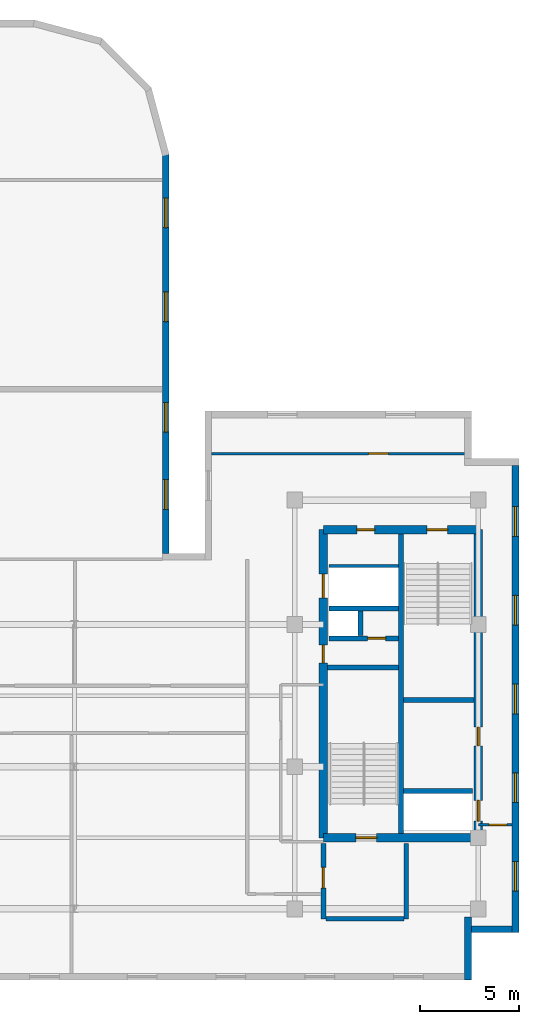
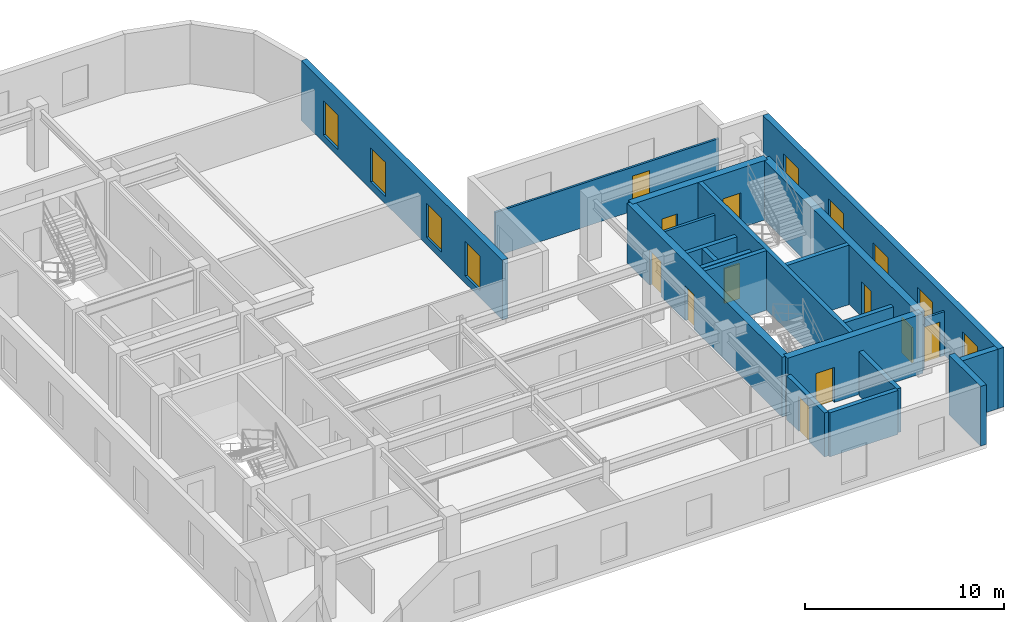
# One storey, part 5 of 9: 21 walls, 11 doors, 9 windows, 20 openings.
"""IFC4 building model written with IfcOpenShell, lengths in metres."""

from ifc_helpers import new_model, entity, si_unit, converted_unit, direction, frame, origin_with_axes, origin_2d_with_axis, place, context, subcontext, project, spatial, polyline, rectangle, outline, extrude, material, layer, layer_set, type_object, element, fill, save


model = new_model("IFC4")

# Units and contexts
model_context = context("Model", 3, precision=1e-05, world=origin_with_axes(), true_north=direction((0.0, 1.0)))
body_context = subcontext(model_context, "Body", "Model", "MODEL_VIEW")
ifc_project = project(units=[si_unit("LENGTHUNIT", "METRE"), si_unit("AREAUNIT", "SQUARE_METRE"), si_unit("VOLUMEUNIT", "CUBIC_METRE"), converted_unit("PLANEANGLEUNIT", "DEGREE", entity("IfcPlaneAngleMeasure", 0.017453292519943295), si_unit("PLANEANGLEUNIT", "RADIAN"), dimensions=[0, 0, 0, 0, 0, 0, 0]), si_unit("MASSUNIT", "GRAM", prefix="KILO"), si_unit("THERMODYNAMICTEMPERATUREUNIT", "KELVIN")], contexts=[model_context])

# Site, building, storey
site_placement = place(None, origin_with_axes())
site = spatial("IfcSite", under=ifc_project, at=site_placement, CompositionType="ELEMENT")
building_placement = place(site_placement, origin_with_axes())
building = spatial("IfcBuilding", under=site, at=building_placement, Name="Varnlund Millrace Tower", CompositionType="ELEMENT")
storey_placement = place(building_placement, frame((0.0, 0.0, 260.7), z_axis=(0.0, 0.0, 1.0), x_axis=(1.0, 0.0, 0.0)))
storey = spatial("IfcBuildingStorey", under=building, at=storey_placement, Name="L64", CompositionType="ELEMENT", Elevation=260.7)

# Wall, openings, doors
ifc_material_1 = material(Name="Concrete C60/75", Category="concrete")
ifc_layer_1 = layer(ifc_material_1, 0.42, Name="Concrete C60/75")
ifc_layer_set_1 = layer_set([ifc_layer_1], Name="Concrete C60/75")
wall_type_1 = type_object("IfcWallType", Name="Type-CoreWall-Shear-420-C60", PredefinedType="SHEAR", material=ifc_layer_set_1)
wall_1_placement = place(storey_placement, frame((40.2, 7.2, 0.0), z_axis=(0.0, 0.0, 1.0), x_axis=(0.0, 1.0, 0.0)))
wall_1 = element("IfcWall", 1, at=wall_1_placement, inside=storey, type_object=wall_type_1, Name="Type-CoreWall-Shear-420-C60", PredefinedType="SHEAR", context=body_context, shape_type="SweptSolid", body=[
    extrude(outline(polyline([(0.0, -0.21), (15.6, -0.21), (15.6, 0.21), (0.0, 0.21), (0.0, -0.21)])), origin_with_axes(), (0.0, 0.0, 1.0), 3.66),
])
opening_1_placement = place(wall_1_placement, frame((12.75, 0.0, 0.0), z_axis=(0.0, 0.0, 1.0), x_axis=(1.0, 0.0, 0.0)))
opening_1 = element("IfcOpeningElement", 2, at=opening_1_placement, cuts=wall_1, Name="Opening L64:LD-SRV2", PredefinedType="OPENING", context=body_context, shape_type="SweptSolid", body=[
    extrude(rectangle(XDim=1.2, YDim=0.44, at=origin_2d_with_axis()), origin_with_axes(), (0.0, 0.0, 1.0), 2.15),
])
opening_2_placement = place(wall_1_placement, frame((9.3, 0.0, 0.0), z_axis=(0.0, 0.0, 1.0), x_axis=(1.0, 0.0, 0.0)))
opening_2 = element("IfcOpeningElement", 3, at=opening_2_placement, cuts=wall_1, Name="Opening L64:DR-CB-JAN", PredefinedType="OPENING", context=body_context, shape_type="SweptSolid", body=[
    extrude(rectangle(XDim=0.9, YDim=0.44, at=origin_2d_with_axis()), origin_with_axes(), (0.0, 0.0, 1.0), 2.15),
])
ifc_material_2 = material(Name="Fire-rated hollow steel service closet door", Category="steel")
door_type_1 = type_object("IfcDoorType", Name="Type-FireDoor-Closet-900X2150", OperationType="NOTDEFINED", PredefinedType="DOOR", material=ifc_material_2)
door_1_placement = place(wall_1_placement, frame((9.3, 0.0, 0.0), z_axis=(0.0, 0.0, 1.0), x_axis=(1.0, 0.0, 0.0)))
door_1 = element("IfcDoor", 4, at=door_1_placement, inside=storey, type_object=door_type_1, Name="Type-FireDoor-Closet-900X2150", OperationType="SINGLE_SWING_RIGHT", OverallHeight=2.15, OverallWidth=0.9, PredefinedType="DOOR", context=body_context, shape_type="SweptSolid", body=[
    extrude(rectangle(XDim=0.9, YDim=0.09, at=origin_2d_with_axis()), origin_with_axes(), (0.0, 0.0, 1.0), 2.15),
])
fill(opening_2, door_1)
ifc_material_3 = material(Name="Heavy-duty freight sliding landing door")
door_type_2 = type_object("IfcDoorType", Name="Type-LiftLandingDoor-Service-1200X2150", OperationType="NOTDEFINED", PredefinedType="DOOR", material=ifc_material_3)
door_2_placement = place(wall_1_placement, frame((12.75, 0.0, 0.0), z_axis=(0.0, 0.0, 1.0), x_axis=(1.0, 0.0, 0.0)))
door_2 = element("IfcDoor", 5, at=door_2_placement, inside=storey, type_object=door_type_2, Name="Type-LiftLandingDoor-Service-1200X2150", OperationType="DOUBLE_DOOR_SLIDING", OverallHeight=2.15, OverallWidth=1.2, PredefinedType="DOOR", context=body_context, shape_type="SweptSolid", body=[
    extrude(rectangle(XDim=1.2, YDim=0.09, at=origin_2d_with_axis()), origin_with_axes(), (0.0, 0.0, 1.0), 2.15),
])
fill(opening_1, door_2)

# Wall, opening, door
wall_2_placement = place(storey_placement, frame((40.2, 7.2, 0.0), z_axis=(0.0, 0.0, 1.0), x_axis=(1.0, 0.0, 0.0)))
wall_2 = element("IfcWall", 6, at=wall_2_placement, inside=storey, type_object=wall_type_1, Name="Type-CoreWall-Shear-420-C60", PredefinedType="SHEAR", context=body_context, shape_type="SweptSolid", body=[
    extrude(outline(polyline([(0.0, -0.21), (7.85, -0.21), (7.85, 0.21), (0.0, 0.21), (0.0, -0.21)])), origin_with_axes(), (0.0, 0.0, 1.0), 3.66),
])
opening_3_placement = place(wall_2_placement, frame((2.175, 0.0, 0.0), z_axis=(0.0, 0.0, 1.0), x_axis=(1.0, 0.0, 0.0)))
opening_3 = element("IfcOpeningElement", 7, at=opening_3_placement, cuts=wall_2, Name="Opening L64:DR-STB1", PredefinedType="OPENING", context=body_context, shape_type="SweptSolid", body=[
    extrude(rectangle(XDim=1.05, YDim=0.44, at=origin_2d_with_axis()), origin_with_axes(), (0.0, 0.0, 1.0), 2.15),
])
ifc_material_4 = material(Name="Fire-rated hollow steel door", Category="steel")
door_type_3 = type_object("IfcDoorType", Name="Type-FireDoor-Stair-1050X2150", OperationType="NOTDEFINED", PredefinedType="DOOR", material=ifc_material_4)
door_3_placement = place(wall_2_placement, frame((2.175, 0.0, 0.0), z_axis=(0.0, 0.0, 1.0), x_axis=(1.0, 0.0, 0.0)))
door_3 = element("IfcDoor", 8, at=door_3_placement, inside=storey, type_object=door_type_3, Name="Type-FireDoor-Stair-1050X2150", OperationType="SINGLE_SWING_LEFT", OverallHeight=2.15, OverallWidth=1.05, PredefinedType="DOOR", context=body_context, shape_type="SweptSolid", body=[
    extrude(rectangle(XDim=1.05, YDim=0.09, at=origin_2d_with_axis()), origin_with_axes(), (0.0, 0.0, 1.0), 2.15),
])
fill(opening_3, door_3)

# Wall, openings, doors
wall_3_placement = place(storey_placement, frame((40.2, 22.8, 0.0), z_axis=(0.0, 0.0, 1.0), x_axis=(1.0, 0.0, 0.0)))
wall_3 = element("IfcWall", 9, at=wall_3_placement, inside=storey, type_object=wall_type_1, Name="Type-CoreWall-Shear-420-C60", PredefinedType="SHEAR", context=body_context, shape_type="SweptSolid", body=[
    extrude(outline(polyline([(0.0, -0.21), (7.85, -0.21), (7.85, 0.21), (0.0, 0.21), (0.0, -0.21)])), origin_with_axes(), (0.0, 0.0, 1.0), 3.66),
])
opening_4_placement = place(wall_3_placement, frame((5.775, 0.0, 0.0), z_axis=(0.0, 0.0, 1.0), x_axis=(1.0, 0.0, 0.0)))
opening_4 = element("IfcOpeningElement", 10, at=opening_4_placement, cuts=wall_3, Name="Opening L64:DR-STB2", PredefinedType="OPENING", context=body_context, shape_type="SweptSolid", body=[
    extrude(rectangle(XDim=1.05, YDim=0.44, at=origin_2d_with_axis()), origin_with_axes(), (0.0, 0.0, 1.0), 2.15),
])
opening_5_placement = place(wall_3_placement, frame((2.15, 0.0, 0.0), z_axis=(0.0, 0.0, 1.0), x_axis=(1.0, 0.0, 0.0)))
opening_5 = element("IfcOpeningElement", 11, at=opening_5_placement, cuts=wall_3, Name="Opening L64:DR-CB-NW", PredefinedType="OPENING", context=body_context, shape_type="SweptSolid", body=[
    extrude(rectangle(XDim=0.9, YDim=0.44, at=origin_2d_with_axis()), origin_with_axes(), (0.0, 0.0, 1.0), 2.15),
])
door_4_placement = place(wall_3_placement, frame((2.15, 0.0, 0.0), z_axis=(0.0, 0.0, 1.0), x_axis=(1.0, 0.0, 0.0)))
door_4 = element("IfcDoor", 12, at=door_4_placement, inside=storey, type_object=door_type_1, Name="Type-FireDoor-Closet-900X2150", OperationType="SINGLE_SWING_LEFT", OverallHeight=2.15, OverallWidth=0.9, PredefinedType="DOOR", context=body_context, shape_type="SweptSolid", body=[
    extrude(rectangle(XDim=0.9, YDim=0.09, at=origin_2d_with_axis()), origin_with_axes(), (0.0, 0.0, 1.0), 2.15),
])
fill(opening_5, door_4)
door_5_placement = place(wall_3_placement, frame((5.775, 0.0, 0.0), z_axis=(0.0, 0.0, 1.0), x_axis=(1.0, 0.0, 0.0)))
door_5 = element("IfcDoor", 13, at=door_5_placement, inside=storey, type_object=door_type_3, Name="Type-FireDoor-Stair-1050X2150", OperationType="SINGLE_SWING_RIGHT", OverallHeight=2.15, OverallWidth=1.05, PredefinedType="DOOR", context=body_context, shape_type="SweptSolid", body=[
    extrude(rectangle(XDim=1.05, YDim=0.09, at=origin_2d_with_axis()), origin_with_axes(), (0.0, 0.0, 1.0), 2.15),
])
fill(opening_4, door_5)

wall_4_placement = place(storey_placement, frame((48.05, 7.2, 0.0), z_axis=(0.0, 0.0, 1.0), x_axis=(0.0, 1.0, 0.0)))
wall_4 = element("IfcWall", 14, at=wall_4_placement, inside=storey, type_object=wall_type_1, Name="Type-CoreWall-Shear-420-C60", PredefinedType="SHEAR", context=body_context, shape_type="SweptSolid", body=[
    extrude(outline(polyline([(0.0, -0.21), (15.6, -0.21), (15.6, 0.21), (0.0, 0.21), (0.0, -0.21)])), origin_with_axes(), (0.0, 0.0, 1.0), 3.66),
])
opening_6_placement = place(wall_4_placement, frame((1.375, 0.0, 0.0), z_axis=(0.0, 0.0, 1.0), x_axis=(1.0, 0.0, 0.0)))
opening_6 = element("IfcOpeningElement", 15, at=opening_6_placement, cuts=wall_4, Name="Opening L64:LD-ELV-H3", PredefinedType="OPENING", context=body_context, shape_type="SweptSolid", body=[
    extrude(rectangle(XDim=1.05, YDim=0.44, at=origin_2d_with_axis()), origin_with_axes(), (0.0, 0.0, 1.0), 2.15),
])
opening_7_placement = place(wall_4_placement, frame((5.125, 0.0, 0.0), z_axis=(0.0, 0.0, 1.0), x_axis=(1.0, 0.0, 0.0)))
opening_7 = element("IfcOpeningElement", 16, at=opening_7_placement, cuts=wall_4, Name="Opening L64:DR-CB-WC", PredefinedType="OPENING", context=body_context, shape_type="SweptSolid", body=[
    extrude(rectangle(XDim=0.95, YDim=0.44, at=origin_2d_with_axis()), origin_with_axes(), (0.0, 0.0, 1.0), 2.15),
])
ifc_material_5 = material(Name="Fire-rated hollow steel core service door", Category="steel")
door_type_4 = type_object("IfcDoorType", Name="Type-FireDoor-Service-950X2150", OperationType="NOTDEFINED", PredefinedType="DOOR", material=ifc_material_5)
door_6_placement = place(wall_4_placement, frame((5.125, 0.0, 0.0), z_axis=(0.0, 0.0, 1.0), x_axis=(1.0, 0.0, 0.0)))
door_6 = element("IfcDoor", 17, at=door_6_placement, inside=storey, type_object=door_type_4, Name="Type-FireDoor-Service-950X2150", OperationType="SINGLE_SWING_LEFT", OverallHeight=2.15, OverallWidth=0.95, PredefinedType="DOOR", context=body_context, shape_type="SweptSolid", body=[
    extrude(rectangle(XDim=0.95, YDim=0.09, at=origin_2d_with_axis()), origin_with_axes(), (0.0, 0.0, 1.0), 2.15),
])
fill(opening_7, door_6)
ifc_material_6 = material(Name="Architectural bronze sliding landing door")
door_type_5 = type_object("IfcDoorType", Name="Type-LiftLandingDoor-Compact-1050X2150", OperationType="NOTDEFINED", PredefinedType="DOOR", material=ifc_material_6)
door_7_placement = place(wall_4_placement, frame((1.375, 0.0, 0.0), z_axis=(0.0, 0.0, 1.0), x_axis=(1.0, 0.0, 0.0)))
door_7 = element("IfcDoor", 18, at=door_7_placement, inside=storey, type_object=door_type_5, Name="Type-LiftLandingDoor-Compact-1050X2150", OperationType="SLIDING_TO_LEFT", OverallHeight=2.15, OverallWidth=1.05, PredefinedType="DOOR", context=body_context, shape_type="SweptSolid", body=[
    extrude(rectangle(XDim=1.05, YDim=0.09, at=origin_2d_with_axis()), origin_with_axes(), (0.0, 0.0, 1.0), 2.15),
])
fill(opening_6, door_7)

# Wall, openings, windows
ifc_material_7 = material(Name="Precast concrete C50/60", Category="concrete")
ifc_layer_2 = layer(ifc_material_7, 0.34, Name="Precast concrete C50/60")
ifc_layer_set_2 = layer_set([ifc_layer_2], Name="Precast concrete C50/60")
wall_type_2 = type_object("IfcWallType", Name="Type-ExtWall-Precast-Upper-340", PredefinedType="SOLIDWALL", material=ifc_layer_set_2)
wall_5_placement = place(storey_placement, frame((49.93, 26.06, 0.0), z_axis=(0.0, 0.0, 1.0), x_axis=(0.0, -1.0, 0.0)))
wall_5 = element("IfcWall", 19, at=wall_5_placement, inside=storey, type_object=wall_type_2, Name="Type-ExtWall-Precast-Upper-340", PredefinedType="SOLIDWALL", context=body_context, shape_type="SweptSolid", body=[
    extrude(outline(polyline([(0.0, -0.17), (23.66, -0.17), (23.66, 0.17), (0.0, 0.17), (0.0, -0.17)])), origin_with_axes(), (0.0, 0.0, 1.0), 3.66),
])
opening_8_placement = place(wall_5_placement, frame((2.846, 0.0, 0.45), z_axis=(0.0, 0.0, 1.0), x_axis=(1.0, 0.0, 0.0)))
opening_8 = element("IfcOpeningElement", 20, at=opening_8_placement, cuts=wall_5, Name="Opening L64:WN-04", PredefinedType="OPENING", context=body_context, shape_type="SweptSolid", body=[
    extrude(rectangle(XDim=1.5, YDim=0.36, at=origin_2d_with_axis()), origin_with_axes(), (0.0, 0.0, 1.0), 2.1),
])
opening_9_placement = place(wall_5_placement, frame((7.338, 0.0, 0.45), z_axis=(0.0, 0.0, 1.0), x_axis=(1.0, 0.0, 0.0)))
opening_9 = element("IfcOpeningElement", 21, at=opening_9_placement, cuts=wall_5, Name="Opening L64:WN-05", PredefinedType="OPENING", context=body_context, shape_type="SweptSolid", body=[
    extrude(rectangle(XDim=1.5, YDim=0.36, at=origin_2d_with_axis()), origin_with_axes(), (0.0, 0.0, 1.0), 2.1),
])
opening_10_placement = place(wall_5_placement, frame((11.83, 0.0, 0.45), z_axis=(0.0, 0.0, 1.0), x_axis=(1.0, 0.0, 0.0)))
opening_10 = element("IfcOpeningElement", 22, at=opening_10_placement, cuts=wall_5, Name="Opening L64:WN-06", PredefinedType="OPENING", context=body_context, shape_type="SweptSolid", body=[
    extrude(rectangle(XDim=1.5, YDim=0.36, at=origin_2d_with_axis()), origin_with_axes(), (0.0, 0.0, 1.0), 2.1),
])
opening_11_placement = place(wall_5_placement, frame((16.322, 0.0, 0.45), z_axis=(0.0, 0.0, 1.0), x_axis=(1.0, 0.0, 0.0)))
opening_11 = element("IfcOpeningElement", 23, at=opening_11_placement, cuts=wall_5, Name="Opening L64:WN-07", PredefinedType="OPENING", context=body_context, shape_type="SweptSolid", body=[
    extrude(rectangle(XDim=1.5, YDim=0.36, at=origin_2d_with_axis()), origin_with_axes(), (0.0, 0.0, 1.0), 2.1),
])
opening_12_placement = place(wall_5_placement, frame((20.814, 0.0, 0.45), z_axis=(0.0, 0.0, 1.0), x_axis=(1.0, 0.0, 0.0)))
opening_12 = element("IfcOpeningElement", 24, at=opening_12_placement, cuts=wall_5, Name="Opening L64:WN-08", PredefinedType="OPENING", context=body_context, shape_type="SweptSolid", body=[
    extrude(rectangle(XDim=1.5, YDim=0.36, at=origin_2d_with_axis()), origin_with_axes(), (0.0, 0.0, 1.0), 2.1),
])
ifc_material_8 = material(Name="Argon low-e triple glazing in thermally broken bronze frame", Category="glass")
window_type = type_object("IfcWindowType", Name="Type-Window-Punched-1500X2100", PartitioningType="SINGLE_PANEL", PredefinedType="WINDOW", material=ifc_material_8)
window_1_placement = place(wall_5_placement, frame((2.846, 0.0, 0.45), z_axis=(0.0, 0.0, 1.0), x_axis=(1.0, 0.0, 0.0)))
window_1 = element("IfcWindow", 25, at=window_1_placement, inside=storey, type_object=window_type, Name="Type-Window-Punched-1500X2100", OverallHeight=2.1, OverallWidth=1.5, PredefinedType="WINDOW", context=body_context, shape_type="SweptSolid", body=[
    extrude(rectangle(XDim=1.5, YDim=0.09, at=origin_2d_with_axis()), origin_with_axes(), (0.0, 0.0, 1.0), 2.1),
])
fill(opening_8, window_1)
window_2_placement = place(wall_5_placement, frame((7.338, 0.0, 0.45), z_axis=(0.0, 0.0, 1.0), x_axis=(1.0, 0.0, 0.0)))
window_2 = element("IfcWindow", 26, at=window_2_placement, inside=storey, type_object=window_type, Name="Type-Window-Punched-1500X2100", OverallHeight=2.1, OverallWidth=1.5, PredefinedType="WINDOW", context=body_context, shape_type="SweptSolid", body=[
    extrude(rectangle(XDim=1.5, YDim=0.09, at=origin_2d_with_axis()), origin_with_axes(), (0.0, 0.0, 1.0), 2.1),
])
fill(opening_9, window_2)
window_3_placement = place(wall_5_placement, frame((11.83, 0.0, 0.45), z_axis=(0.0, 0.0, 1.0), x_axis=(1.0, 0.0, 0.0)))
window_3 = element("IfcWindow", 27, at=window_3_placement, inside=storey, type_object=window_type, Name="Type-Window-Punched-1500X2100", OverallHeight=2.1, OverallWidth=1.5, PredefinedType="WINDOW", context=body_context, shape_type="SweptSolid", body=[
    extrude(rectangle(XDim=1.5, YDim=0.09, at=origin_2d_with_axis()), origin_with_axes(), (0.0, 0.0, 1.0), 2.1),
])
fill(opening_10, window_3)
window_4_placement = place(wall_5_placement, frame((16.322, 0.0, 0.45), z_axis=(0.0, 0.0, 1.0), x_axis=(1.0, 0.0, 0.0)))
window_4 = element("IfcWindow", 28, at=window_4_placement, inside=storey, type_object=window_type, Name="Type-Window-Punched-1500X2100", OverallHeight=2.1, OverallWidth=1.5, PredefinedType="WINDOW", context=body_context, shape_type="SweptSolid", body=[
    extrude(rectangle(XDim=1.5, YDim=0.09, at=origin_2d_with_axis()), origin_with_axes(), (0.0, 0.0, 1.0), 2.1),
])
fill(opening_11, window_4)
window_5_placement = place(wall_5_placement, frame((20.814, 0.0, 0.45), z_axis=(0.0, 0.0, 1.0), x_axis=(1.0, 0.0, 0.0)))
window_5 = element("IfcWindow", 29, at=window_5_placement, inside=storey, type_object=window_type, Name="Type-Window-Punched-1500X2100", OverallHeight=2.1, OverallWidth=1.5, PredefinedType="WINDOW", context=body_context, shape_type="SweptSolid", body=[
    extrude(rectangle(XDim=1.5, YDim=0.09, at=origin_2d_with_axis()), origin_with_axes(), (0.0, 0.0, 1.0), 2.1),
])
fill(opening_12, window_5)

# Walls
wall_6_placement = place(storey_placement, frame((49.76, 2.57, 0.0), z_axis=(0.0, 0.0, 1.0), x_axis=(-1.0, 0.0, 0.0)))
element("IfcWall", 30, at=wall_6_placement, inside=storey, type_object=wall_type_2, Name="Type-ExtWall-Precast-Upper-340", PredefinedType="SOLIDWALL", context=body_context, shape_type="SweptSolid", body=[
    extrude(outline(polyline([(0.0, -0.17), (2.06, -0.17), (2.06, 0.17), (0.0, 0.17), (0.0, -0.17)])), origin_with_axes(), (0.0, 0.0, 1.0), 3.66),
])
wall_7_placement = place(storey_placement, frame((47.53, 3.2, 0.0), z_axis=(0.0, 0.0, 1.0), x_axis=(0.0, -1.0, 0.0)))
element("IfcWall", 31, at=wall_7_placement, inside=storey, type_object=wall_type_2, Name="Type-ExtWall-Precast-Upper-340", PredefinedType="SOLIDWALL", context=body_context, shape_type="SweptSolid", body=[
    extrude(outline(polyline([(0.0, -0.17), (3.2, -0.17), (3.2, 0.17), (0.0, 0.17), (0.0, -0.17)])), origin_with_axes(), (0.0, 0.0, 1.0), 3.66),
])

# Wall, openings, windows
wall_8_placement = place(storey_placement, frame((32.23, 41.82, 0.0), z_axis=(0.0, 0.0, 1.0), x_axis=(0.0, -1.0, 0.0)))
wall_8 = element("IfcWall", 32, at=wall_8_placement, inside=storey, type_object=wall_type_2, Name="Type-ExtWall-Precast-Upper-340", PredefinedType="SOLIDWALL", context=body_context, shape_type="SweptSolid", body=[
    extrude(outline(polyline([(0.0, -0.17), (20.22, -0.17), (20.22, 0.17), (0.0, 0.17), (0.0, -0.17)])), origin_with_axes(), (0.0, 0.0, 1.0), 3.66),
])
opening_13_placement = place(wall_8_placement, frame((2.978, 0.0, 0.45), z_axis=(0.0, 0.0, 1.0), x_axis=(1.0, 0.0, 0.0)))
opening_13 = element("IfcOpeningElement", 33, at=opening_13_placement, cuts=wall_8, Name="Opening L64:WN-28", PredefinedType="OPENING", context=body_context, shape_type="SweptSolid", body=[
    extrude(rectangle(XDim=1.5, YDim=0.36, at=origin_2d_with_axis()), origin_with_axes(), (0.0, 0.0, 1.0), 2.1),
])
opening_14_placement = place(wall_8_placement, frame((7.732, 0.0, 0.45), z_axis=(0.0, 0.0, 1.0), x_axis=(1.0, 0.0, 0.0)))
opening_14 = element("IfcOpeningElement", 34, at=opening_14_placement, cuts=wall_8, Name="Opening L64:WN-29", PredefinedType="OPENING", context=body_context, shape_type="SweptSolid", body=[
    extrude(rectangle(XDim=1.5, YDim=0.36, at=origin_2d_with_axis()), origin_with_axes(), (0.0, 0.0, 1.0), 2.1),
])
opening_15_placement = place(wall_8_placement, frame((13.337, 0.0, 0.45), z_axis=(0.0, 0.0, 1.0), x_axis=(1.0, 0.0, 0.0)))
opening_15 = element("IfcOpeningElement", 35, at=opening_15_placement, cuts=wall_8, Name="Opening L64:WN-30", PredefinedType="OPENING", context=body_context, shape_type="SweptSolid", body=[
    extrude(rectangle(XDim=1.5, YDim=0.36, at=origin_2d_with_axis()), origin_with_axes(), (0.0, 0.0, 1.0), 2.1),
])
opening_16_placement = place(wall_8_placement, frame((17.242, 0.0, 0.45), z_axis=(0.0, 0.0, 1.0), x_axis=(1.0, 0.0, 0.0)))
opening_16 = element("IfcOpeningElement", 36, at=opening_16_placement, cuts=wall_8, Name="Opening L64:WN-31", PredefinedType="OPENING", context=body_context, shape_type="SweptSolid", body=[
    extrude(rectangle(XDim=1.5, YDim=0.36, at=origin_2d_with_axis()), origin_with_axes(), (0.0, 0.0, 1.0), 2.1),
])
window_6_placement = place(wall_8_placement, frame((2.978, 0.0, 0.45), z_axis=(0.0, 0.0, 1.0), x_axis=(1.0, 0.0, 0.0)))
window_6 = element("IfcWindow", 37, at=window_6_placement, inside=storey, type_object=window_type, Name="Type-Window-Punched-1500X2100", OverallHeight=2.1, OverallWidth=1.5, PredefinedType="WINDOW", context=body_context, shape_type="SweptSolid", body=[
    extrude(rectangle(XDim=1.5, YDim=0.09, at=origin_2d_with_axis()), origin_with_axes(), (0.0, 0.0, 1.0), 2.1),
])
fill(opening_13, window_6)
window_7_placement = place(wall_8_placement, frame((7.732, 0.0, 0.45), z_axis=(0.0, 0.0, 1.0), x_axis=(1.0, 0.0, 0.0)))
window_7 = element("IfcWindow", 38, at=window_7_placement, inside=storey, type_object=window_type, Name="Type-Window-Punched-1500X2100", OverallHeight=2.1, OverallWidth=1.5, PredefinedType="WINDOW", context=body_context, shape_type="SweptSolid", body=[
    extrude(rectangle(XDim=1.5, YDim=0.09, at=origin_2d_with_axis()), origin_with_axes(), (0.0, 0.0, 1.0), 2.1),
])
fill(opening_14, window_7)
window_8_placement = place(wall_8_placement, frame((13.337, 0.0, 0.45), z_axis=(0.0, 0.0, 1.0), x_axis=(1.0, 0.0, 0.0)))
window_8 = element("IfcWindow", 39, at=window_8_placement, inside=storey, type_object=window_type, Name="Type-Window-Punched-1500X2100", OverallHeight=2.1, OverallWidth=1.5, PredefinedType="WINDOW", context=body_context, shape_type="SweptSolid", body=[
    extrude(rectangle(XDim=1.5, YDim=0.09, at=origin_2d_with_axis()), origin_with_axes(), (0.0, 0.0, 1.0), 2.1),
])
fill(opening_15, window_8)
window_9_placement = place(wall_8_placement, frame((17.242, 0.0, 0.45), z_axis=(0.0, 0.0, 1.0), x_axis=(1.0, 0.0, 0.0)))
window_9 = element("IfcWindow", 40, at=window_9_placement, inside=storey, type_object=window_type, Name="Type-Window-Punched-1500X2100", OverallHeight=2.1, OverallWidth=1.5, PredefinedType="WINDOW", context=body_context, shape_type="SweptSolid", body=[
    extrude(rectangle(XDim=1.5, YDim=0.09, at=origin_2d_with_axis()), origin_with_axes(), (0.0, 0.0, 1.0), 2.1),
])
fill(opening_16, window_9)

# Wall
ifc_material_9 = material(Name="Fire-rated gypsum board on cold-formed steel framing", Category="steel")
ifc_layer_3 = layer(ifc_material_9, 0.16, Name="Fire-rated gypsum board on cold-formed steel framing")
ifc_layer_set_3 = layer_set([ifc_layer_3], Name="Fire-rated gypsum board on cold-formed steel framing")
wall_type_3 = type_object("IfcWallType", Name="Type-Partition-Corridor-160", PredefinedType="PARTITIONING", material=ifc_layer_set_3)
wall_9_placement = place(storey_placement, frame((40.5, 20.96, 0.0), z_axis=(0.0, 0.0, 1.0), x_axis=(1.0, 0.0, 0.0)))
element("IfcWall", 41, at=wall_9_placement, inside=storey, type_object=wall_type_3, Name="Type-Partition-Corridor-160", PredefinedType="PARTITIONING", context=body_context, shape_type="SweptSolid", body=[
    extrude(outline(polyline([(0.0, -0.08), (3.5, -0.08), (3.5, 0.08), (0.0, 0.08), (0.0, -0.08)])), origin_with_axes(), (0.0, 0.0, 1.0), 2.7),
])

# Wall, opening, door
ifc_material_10 = material(Name="Gypsum board tenant partition", Category="gypsum")
ifc_layer_4 = layer(ifc_material_10, 0.125, Name="Gypsum board tenant partition")
ifc_layer_set_4 = layer_set([ifc_layer_4], Name="Gypsum board tenant partition")
wall_type_4 = type_object("IfcWallType", Name="Type-Partition-Tenant-125", PredefinedType="PARTITIONING", material=ifc_layer_set_4)
wall_10_placement = place(storey_placement, frame((49.765, 7.85, 0.0), z_axis=(0.0, 0.0, 1.0), x_axis=(-1.0, 0.0, 0.0)))
wall_10 = element("IfcWall", 42, at=wall_10_placement, inside=storey, type_object=wall_type_4, Name="Type-Partition-Tenant-125", PredefinedType="PARTITIONING", context=body_context, shape_type="SweptSolid", body=[
    extrude(outline(polyline([(0.0, -0.0625), (1.715, -0.0625), (1.715, 0.0625), (0.0, 0.0625), (0.0, -0.0625)])), origin_with_axes(), (0.0, 0.0, 1.0), 2.7),
])
opening_17_placement = place(wall_10_placement, frame((0.725, 0.0, 0.0), z_axis=(0.0, 0.0, 1.0), x_axis=(1.0, 0.0, 0.0)))
opening_17 = element("IfcOpeningElement", 43, at=opening_17_placement, cuts=wall_10, Name="Opening L64:DR-WBS-01", PredefinedType="OPENING", context=body_context, shape_type="SweptSolid", body=[
    extrude(rectangle(XDim=0.9, YDim=0.145, at=origin_2d_with_axis()), origin_with_axes(), (0.0, 0.0, 1.0), 2.15),
])
ifc_material_11 = material(Name="Painted steel riser and closet door", Category="steel")
door_type_6 = type_object("IfcDoorType", Name="Type-IntDoor-Closet-900X2150", OperationType="NOTDEFINED", PredefinedType="DOOR", material=ifc_material_11)
door_8_placement = place(wall_10_placement, frame((0.725, 0.0, 0.0), z_axis=(0.0, 0.0, 1.0), x_axis=(1.0, 0.0, 0.0)))
door_8 = element("IfcDoor", 44, at=door_8_placement, inside=storey, type_object=door_type_6, Name="Type-IntDoor-Closet-900X2150", OperationType="SINGLE_SWING_LEFT", OverallHeight=2.15, OverallWidth=0.9, PredefinedType="DOOR", context=body_context, shape_type="SweptSolid", body=[
    extrude(rectangle(XDim=0.9, YDim=0.075, at=origin_2d_with_axis()), origin_with_axes(), (0.0, 0.0, 1.0), 2.15),
])
fill(opening_17, door_8)

wall_11_placement = place(storey_placement, frame((34.535, 26.65, 0.0), z_axis=(0.0, 0.0, 1.0), x_axis=(1.0, 0.0, 0.0)))
wall_11 = element("IfcWall", 45, at=wall_11_placement, inside=storey, type_object=wall_type_4, Name="Type-Partition-Tenant-125", PredefinedType="PARTITIONING", context=body_context, shape_type="SweptSolid", body=[
    extrude(outline(polyline([(0.0, -0.0625), (12.995, -0.0625), (12.995, 0.0625), (0.0, 0.0625), (0.0, -0.0625)])), origin_with_axes(), (0.0, 0.0, 1.0), 2.7),
])
opening_18_placement = place(wall_11_placement, frame((8.465, 0.0, 0.0), z_axis=(0.0, 0.0, 1.0), x_axis=(1.0, 0.0, 0.0)))
opening_18 = element("IfcOpeningElement", 46, at=opening_18_placement, cuts=wall_11, Name="Opening L64:DR-WBN-01", PredefinedType="OPENING", context=body_context, shape_type="SweptSolid", body=[
    extrude(rectangle(XDim=1.0, YDim=0.145, at=origin_2d_with_axis()), origin_with_axes(), (0.0, 0.0, 1.0), 2.15),
])
ifc_material_12 = material(Name="Solid-core white oak and bronze frame door")
door_type_7 = type_object("IfcDoorType", Name="Type-IntDoor-Office-1000X2150", OperationType="NOTDEFINED", PredefinedType="DOOR", material=ifc_material_12)
door_9_placement = place(wall_11_placement, frame((8.465, 0.0, 0.0), z_axis=(0.0, 0.0, 1.0), x_axis=(1.0, 0.0, 0.0)))
door_9 = element("IfcDoor", 47, at=door_9_placement, inside=storey, type_object=door_type_7, Name="Type-IntDoor-Office-1000X2150", OperationType="SINGLE_SWING_RIGHT", OverallHeight=2.15, OverallWidth=1.0, PredefinedType="DOOR", context=body_context, shape_type="SweptSolid", body=[
    extrude(rectangle(XDim=1.0, YDim=0.075, at=origin_2d_with_axis()), origin_with_axes(), (0.0, 0.0, 1.0), 2.15),
])
fill(opening_18, door_9)

ifc_layer_5 = layer(ifc_material_1, 0.25, Name="Concrete C60/75")
ifc_layer_set_5 = layer_set([ifc_layer_5], Name="Concrete C60/75")
wall_type_5 = type_object("IfcWallType", Name="Type-ShaftWall-Fire-250", PredefinedType="SOLIDWALL", material=ifc_layer_set_5)
wall_12_placement = place(storey_placement, frame((40.5, 17.3, 0.0), z_axis=(0.0, 0.0, 1.0), x_axis=(1.0, 0.0, 0.0)))
wall_12 = element("IfcWall", 48, at=wall_12_placement, inside=storey, type_object=wall_type_5, Name="Type-ShaftWall-Fire-250", PredefinedType="SOLIDWALL", context=body_context, shape_type="SweptSolid", body=[
    extrude(outline(polyline([(0.0, -0.125), (3.5, -0.125), (3.5, 0.125), (0.0, 0.125), (0.0, -0.125)])), origin_with_axes(), (0.0, 0.0, 1.0), 2.7),
])
opening_19_placement = place(wall_12_placement, frame((2.4, 0.0, 0.0), z_axis=(0.0, 0.0, 1.0), x_axis=(1.0, 0.0, 0.0)))
opening_19 = element("IfcOpeningElement", 49, at=opening_19_placement, cuts=wall_12, Name="Opening L64:DR-CB-ELC", PredefinedType="OPENING", context=body_context, shape_type="SweptSolid", body=[
    extrude(rectangle(XDim=0.9, YDim=0.27, at=origin_2d_with_axis()), origin_with_axes(), (0.0, 0.0, 1.0), 2.15),
])
door_10_placement = place(wall_12_placement, frame((2.4, 0.0, 0.0), z_axis=(0.0, 0.0, 1.0), x_axis=(1.0, 0.0, 0.0)))
door_10 = element("IfcDoor", 50, at=door_10_placement, inside=storey, type_object=door_type_1, Name="Type-FireDoor-Closet-900X2150", OperationType="SINGLE_SWING_LEFT", OverallHeight=2.15, OverallWidth=0.9, PredefinedType="DOOR", context=body_context, shape_type="SweptSolid", body=[
    extrude(rectangle(XDim=0.9, YDim=0.09, at=origin_2d_with_axis()), origin_with_axes(), (0.0, 0.0, 1.0), 2.15),
])
fill(opening_19, door_10)

# Walls
wall_13_placement = place(storey_placement, frame((40.5, 18.8, 0.0), z_axis=(0.0, 0.0, 1.0), x_axis=(1.0, 0.0, 0.0)))
element("IfcWall", 51, at=wall_13_placement, inside=storey, type_object=wall_type_5, Name="Type-ShaftWall-Fire-250", PredefinedType="SOLIDWALL", context=body_context, shape_type="SweptSolid", body=[
    extrude(outline(polyline([(0.0, -0.125), (3.5, -0.125), (3.5, 0.125), (0.0, 0.125), (0.0, -0.125)])), origin_with_axes(), (0.0, 0.0, 1.0), 2.7),
])
wall_14_placement = place(storey_placement, frame((42.075, 17.43, 0.0), z_axis=(0.0, 0.0, 1.0), x_axis=(0.0, 1.0, 0.0)))
element("IfcWall", 52, at=wall_14_placement, inside=storey, type_object=wall_type_5, Name="Type-ShaftWall-Fire-250", PredefinedType="SOLIDWALL", context=body_context, shape_type="SweptSolid", body=[
    extrude(outline(polyline([(0.0, -0.125), (1.24, -0.125), (1.24, 0.125), (0.0, 0.125), (0.0, -0.125)])), origin_with_axes(), (0.0, 0.0, 1.0), 2.7),
])

# Wall, opening, door
wall_15_placement = place(storey_placement, frame((40.2, 3.1, 0.0), z_axis=(0.0, 0.0, 1.0), x_axis=(0.0, 1.0, 0.0)))
wall_15 = element("IfcWall", 53, at=wall_15_placement, inside=storey, type_object=wall_type_5, Name="Type-ShaftWall-Fire-250", PredefinedType="SOLIDWALL", context=body_context, shape_type="SweptSolid", body=[
    extrude(outline(polyline([(0.0, -0.125), (3.8, -0.125), (3.8, 0.125), (0.0, 0.125), (0.0, -0.125)])), origin_with_axes(), (0.0, 0.0, 1.0), 2.7),
])
opening_20_placement = place(wall_15_placement, frame((2.075, 0.0, 0.0), z_axis=(0.0, 0.0, 1.0), x_axis=(1.0, 0.0, 0.0)))
opening_20 = element("IfcOpeningElement", 54, at=opening_20_placement, cuts=wall_15, Name="Opening L64:DR-FFLOB-B", PredefinedType="OPENING", context=body_context, shape_type="SweptSolid", body=[
    extrude(rectangle(XDim=1.05, YDim=0.27, at=origin_2d_with_axis()), origin_with_axes(), (0.0, 0.0, 1.0), 2.15),
])
ifc_material_13 = material(Name="Smoke-barrier hollow steel fire door", Category="steel")
door_type_8 = type_object("IfcDoorType", Name="Type-FireDoor-Lobby-1050X2150", OperationType="NOTDEFINED", PredefinedType="DOOR", material=ifc_material_13)
door_11_placement = place(wall_15_placement, frame((2.075, 0.0, 0.0), z_axis=(0.0, 0.0, 1.0), x_axis=(1.0, 0.0, 0.0)))
door_11 = element("IfcDoor", 55, at=door_11_placement, inside=storey, type_object=door_type_8, Name="Type-FireDoor-Lobby-1050X2150", OperationType="SINGLE_SWING_LEFT", OverallHeight=2.15, OverallWidth=1.05, PredefinedType="DOOR", context=body_context, shape_type="SweptSolid", body=[
    extrude(rectangle(XDim=1.05, YDim=0.09, at=origin_2d_with_axis()), origin_with_axes(), (0.0, 0.0, 1.0), 2.15),
])
fill(opening_20, door_11)

# Walls
wall_16_placement = place(storey_placement, frame((40.325, 3.1, 0.0), z_axis=(0.0, 0.0, 1.0), x_axis=(1.0, 0.0, 0.0)))
element("IfcWall", 56, at=wall_16_placement, inside=storey, type_object=wall_type_5, Name="Type-ShaftWall-Fire-250", PredefinedType="SOLIDWALL", context=body_context, shape_type="SweptSolid", body=[
    extrude(outline(polyline([(0.0, -0.125), (3.95, -0.125), (3.95, 0.125), (0.0, 0.125), (0.0, -0.125)])), origin_with_axes(), (0.0, 0.0, 1.0), 2.7),
])
wall_17_placement = place(storey_placement, frame((44.4, 3.1, 0.0), z_axis=(0.0, 0.0, 1.0), x_axis=(0.0, 1.0, 0.0)))
element("IfcWall", 57, at=wall_17_placement, inside=storey, type_object=wall_type_5, Name="Type-ShaftWall-Fire-250", PredefinedType="SOLIDWALL", context=body_context, shape_type="SweptSolid", body=[
    extrude(outline(polyline([(0.0, -0.125), (3.8, -0.125), (3.8, 0.125), (0.0, 0.125), (0.0, -0.125)])), origin_with_axes(), (0.0, 0.0, 1.0), 2.7),
])
wall_18_placement = place(storey_placement, frame((44.25, 9.56, 0.0), z_axis=(0.0, 0.0, 1.0), x_axis=(1.0, 0.0, 0.0)))
element("IfcWall", 58, at=wall_18_placement, inside=storey, type_object=wall_type_5, Name="Type-ShaftWall-Fire-250", PredefinedType="SOLIDWALL", context=body_context, shape_type="SweptSolid", body=[
    extrude(outline(polyline([(0.0, -0.125), (3.5, -0.125), (3.5, 0.125), (0.0, 0.125), (0.0, -0.125)])), origin_with_axes(), (0.0, 0.0, 1.0), 2.7),
])
wall_type_6 = type_object("IfcWallType", Name="Type-StairWall-Shear-250", PredefinedType="SHEAR", material=ifc_layer_set_5)
wall_19_placement = place(storey_placement, frame((44.125, 7.41, 0.0), z_axis=(0.0, 0.0, 1.0), x_axis=(0.0, 1.0, 0.0)))
element("IfcWall", 59, at=wall_19_placement, inside=storey, type_object=wall_type_6, Name="Type-StairWall-Shear-250", PredefinedType="SHEAR", context=body_context, shape_type="SweptSolid", body=[
    extrude(outline(polyline([(0.0, -0.125), (15.18, -0.125), (15.18, 0.125), (0.0, 0.125), (0.0, -0.125)])), origin_with_axes(), (0.0, 0.0, 1.0), 3.66),
])
for number, where, z_axis, x_axis, name in (
    (60, (40.41, 15.825, 0.0), (0.0, 0.0, 1.0), (1.0, 0.0, 0.0), "Type-StairWall-Shear-250"),
    (61, (44.25, 14.175, 0.0), (0.0, 0.0, 1.0), (1.0, 0.0, 0.0), "Type-StairWall-Shear-250"),
):
    element("IfcWall", number, at=place(storey_placement, frame(where, z_axis=z_axis, x_axis=x_axis)), inside=storey, type_object=wall_type_6, Name=name, PredefinedType="SHEAR", context=body_context, shape_type="SweptSolid", body=[
        extrude(outline(polyline([(0.0, -0.125), (3.59, -0.125), (3.59, 0.125), (0.0, 0.125), (0.0, -0.125)])), origin_with_axes(), (0.0, 0.0, 1.0), 3.66),
    ])

save(model, "model.ifc")
